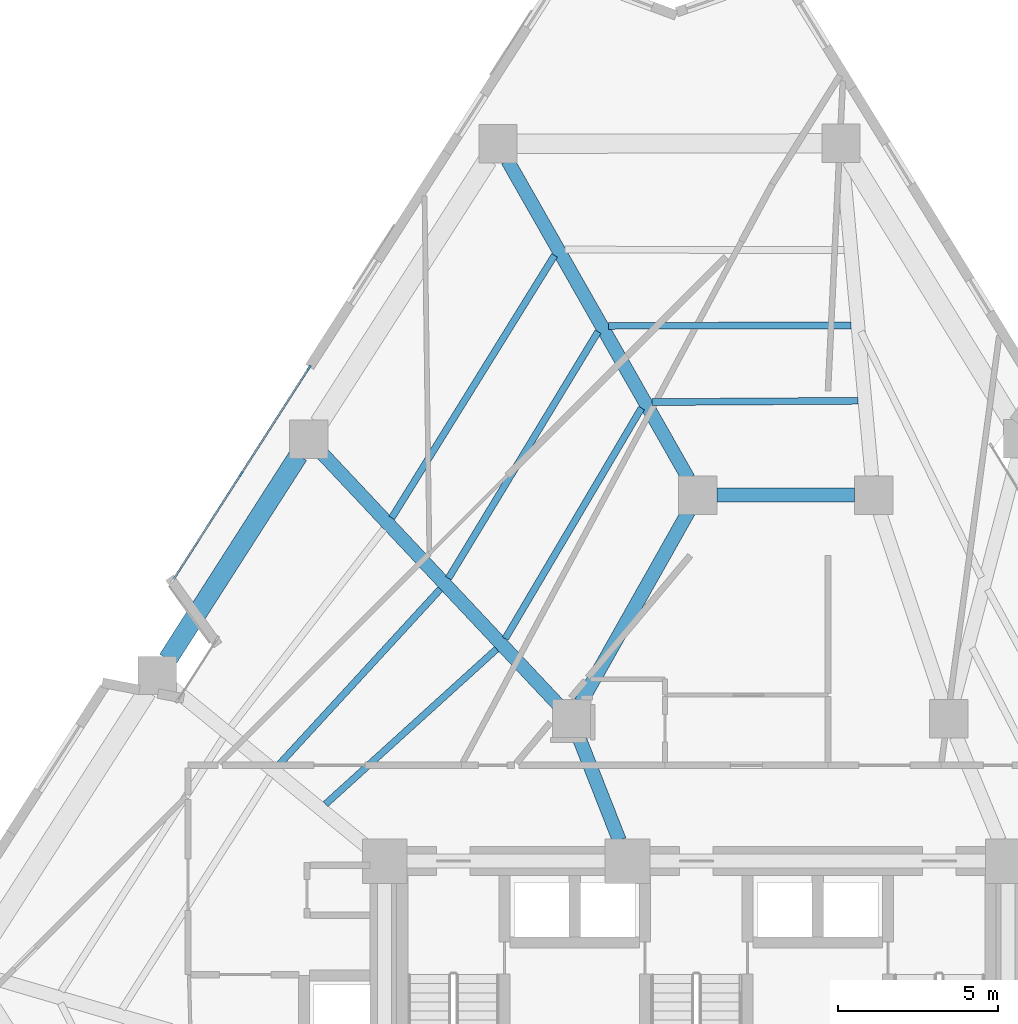
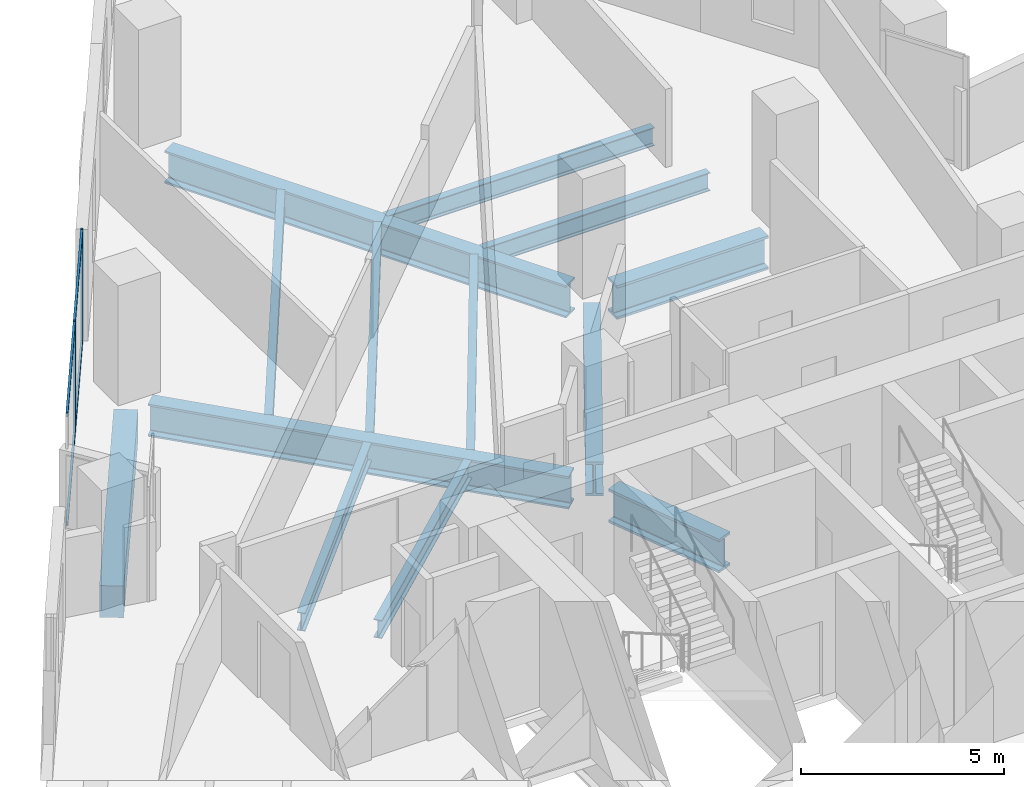
# One storey, part 3 of 12: 13 beams, 6 members, 1 element without a shape of its own.
"""IFC4 building model written with IfcOpenShell, lengths in metres."""

from ifc_helpers import new_model, si_unit, direction, frame, origin, origin_2d, place, context, subcontext, project, spatial, rectangle, i_section, extrude, material, layer, layer_set, material_profile, profile_set, type_object, element, aggregate, save


model = new_model("IFC4")

# Units and contexts
model_context = context("Model", 3, precision=1e-05, world=origin(), true_north=direction((0.0, 1.0)))
body_context = subcontext(model_context, "Body", "Model", "MODEL_VIEW")
ifc_project = project(units=[si_unit("LENGTHUNIT", "METRE"), si_unit("AREAUNIT", "SQUARE_METRE"), si_unit("VOLUMEUNIT", "CUBIC_METRE"), si_unit("PLANEANGLEUNIT", "RADIAN"), si_unit("MASSUNIT", "GRAM", prefix="KILO")], contexts=[model_context])

# Site, building, storey
site_placement = place(None, origin())
site = spatial("IfcSite", under=ifc_project, at=site_placement, CompositionType="ELEMENT")
building_placement = place(site_placement, origin())
building = spatial("IfcBuilding", under=site, at=building_placement, Name="Almagre Mirador Tower", CompositionType="ELEMENT")
storey_placement = place(building_placement, frame((0.0, 0.0, 93.0)))
storey = spatial("IfcBuildingStorey", under=building, at=storey_placement, Name="L23", CompositionType="ELEMENT", Elevation=93.0)

# Beams
ifc_material_1 = material(Name="Steel ASTM A992 Grade 50", Category="steel")
ifc_material_profile_1 = material_profile(ifc_material_1, i_section(OverallWidth=0.214111328125, OverallDepth=0.549072265625, WebThickness=0.0146484375, FlangeThickness=0.023681640625, FilletRadius=0.01806640625, at=origin_2d()), Name="W21X93")
ifc_profile_set_1 = profile_set([ifc_material_profile_1], Name="Steel ASTM A992 Grade 50")
beam_type_1 = type_object("IfcBeamType", Name="BM-JST-W21X93", PredefinedType="JOIST", material=ifc_profile_set_1)
beam_1_placement = place(storey_placement, frame((42.142333984375, 31.50732421875, -0.5244140625), z_axis=(-0.999998857543, -0.001511592523, 0.0), x_axis=(0.001511592523, -0.999998857543, 0.0)))
element("IfcBeam", 1, at=beam_1_placement, inside=storey, type_object=beam_type_1, Name="L23 secondary floor joist PC08-PC09.2", PredefinedType="JOIST", context=body_context, shape_type="SweptSolid", body=[
    extrude(i_section(OverallWidth=0.214111328125, OverallDepth=0.549072265625, WebThickness=0.0146484375, FlangeThickness=0.023681640625, FilletRadius=0.01806640625, at=origin_2d()), origin(), (0.0, 0.0, 1.0), 7.591064453125),
])
beam_2_placement = place(storey_placement, frame((42.361328125, 29.151123046875, -0.5244140625), z_axis=(-0.999979554323, -0.006394602114, 0.0), x_axis=(0.006394602114, -0.999979554323, 0.0)))
element("IfcBeam", 2, at=beam_2_placement, inside=storey, type_object=beam_type_1, Name="L23 secondary floor joist PC08-PC09.3", PredefinedType="JOIST", context=body_context, shape_type="SweptSolid", body=[
    extrude(i_section(OverallWidth=0.214111328125, OverallDepth=0.549072265625, WebThickness=0.0146484375, FlangeThickness=0.023681640625, FilletRadius=0.01806640625, at=origin_2d()), origin(), (0.0, 0.0, 1.0), 6.452392578125),
])
beam_3_placement = place(storey_placement, frame((32.8662109375, 33.70068359375, -0.5244140625), z_axis=(-0.527025078824, -0.849849731594, 0.0), x_axis=(0.849849731594, -0.527025078824, 0.0)))
element("IfcBeam", 3, at=beam_3_placement, inside=storey, type_object=beam_type_1, Name="L23 secondary floor joist PC09-PC10.1", PredefinedType="JOIST", context=body_context, shape_type="SweptSolid", body=[
    extrude(i_section(OverallWidth=0.214111328125, OverallDepth=0.549072265625, WebThickness=0.0146484375, FlangeThickness=0.023681640625, FilletRadius=0.01806640625, at=origin_2d()), origin(), (0.0, 0.0, 1.0), 9.662841796875),
])
beam_4_placement = place(storey_placement, frame((34.226318359375, 31.3125, -0.5244140625), z_axis=(-0.51862919068, -0.854999276359, 0.0), x_axis=(0.854999276359, -0.51862919068, 0.0)))
element("IfcBeam", 4, at=beam_4_placement, inside=storey, type_object=beam_type_1, Name="L23 secondary floor joist PC09-PC10.2", PredefinedType="JOIST", context=body_context, shape_type="SweptSolid", body=[
    extrude(i_section(OverallWidth=0.214111328125, OverallDepth=0.549072265625, WebThickness=0.0146484375, FlangeThickness=0.023681640625, FilletRadius=0.01806640625, at=origin_2d()), origin(), (0.0, 0.0, 1.0), 9.020263671875),
])
beam_5_placement = place(storey_placement, frame((35.586181640625, 28.92431640625, -0.5244140625), z_axis=(-0.508893233188, -0.860829644712, 0.0), x_axis=(0.860829644712, -0.508893233188, 0.0)))
element("IfcBeam", 5, at=beam_5_placement, inside=storey, type_object=beam_type_1, Name="L23 secondary floor joist PC09-PC10.3", PredefinedType="JOIST", context=body_context, shape_type="SweptSolid", body=[
    extrude(i_section(OverallWidth=0.214111328125, OverallDepth=0.549072265625, WebThickness=0.0146484375, FlangeThickness=0.023681640625, FilletRadius=0.01806640625, at=origin_2d()), origin(), (0.0, 0.0, 1.0), 8.37939453125),
])
beam_6_placement = place(storey_placement, frame((29.292236328125, 23.259521484375, -0.5244140625), z_axis=(-0.676538846578, -0.73640694529, 0.0), x_axis=(0.73640694529, -0.676538846578, 0.0)))
element("IfcBeam", 6, at=beam_6_placement, inside=storey, type_object=beam_type_1, Name="L23 secondary floor joist PC10-PC11.2", PredefinedType="JOIST", context=body_context, shape_type="SweptSolid", body=[
    extrude(i_section(OverallWidth=0.214111328125, OverallDepth=0.549072265625, WebThickness=0.0146484375, FlangeThickness=0.023681640625, FilletRadius=0.01806640625, at=origin_2d()), origin(), (0.0, 0.0, 1.0), 7.4912109375),
])
beam_7_placement = place(storey_placement, frame((31.054443359375, 21.38330078125, -0.5244140625), z_axis=(-0.7409990396, -0.671506085834, 0.0), x_axis=(0.671506085834, -0.7409990396, 0.0)))
element("IfcBeam", 7, at=beam_7_placement, inside=storey, type_object=beam_type_1, Name="L23 secondary floor joist PC10-PC11.3", PredefinedType="JOIST", context=body_context, shape_type="SweptSolid", body=[
    extrude(i_section(OverallWidth=0.214111328125, OverallDepth=0.549072265625, WebThickness=0.0146484375, FlangeThickness=0.023681640625, FilletRadius=0.01806640625, at=origin_2d()), origin(), (0.0, 0.0, 1.0), 7.22314453125),
])
ifc_material_2 = material(Name="Precast concrete C50/60", Category="concrete")
ifc_material_profile_2 = material_profile(ifc_material_2, rectangle(XDim=0.60009765625, YDim=0.949951171875, at=origin_2d()), Name="RC600X950")
ifc_profile_set_2 = profile_set([ifc_material_profile_2], Name="Precast concrete C50/60")
beam_type_2 = type_object("IfcBeamType", Name="BM-SPN-RC600X950", PredefinedType="SPANDREL", material=ifc_profile_set_2)
beam_8_placement = place(storey_placement, frame((24.854248046875, 27.44384765625, -0.72509765625), z_axis=(-0.539465888447, -0.84200745555, 0.0), x_axis=(0.84200745555, -0.539465888447, 0.0)))
element("IfcBeam", 8, at=beam_8_placement, inside=storey, type_object=beam_type_2, Name="L23 perimeter spandrel beam PC10-PC11", PredefinedType="SPANDREL", context=body_context, shape_type="SweptSolid", body=[
    extrude(rectangle(XDim=0.60009765625, YDim=0.949951171875, at=origin_2d()), origin(), (0.0, 0.0, 1.0), 7.5791015625),
])
ifc_material_3 = material(Name="Steel ASTM A992 Grade 50", Category="steel")
ifc_material_profile_3 = material_profile(ifc_material_3, i_section(OverallWidth=0.427978515625, OverallDepth=0.97509765625, WebThickness=0.031005859375, FlangeThickness=0.055908203125, FilletRadius=0.028076171875, at=origin_2d()), Name="W36X395")
ifc_profile_set_3 = profile_set([ifc_material_profile_3], Name="Steel ASTM A992 Grade 50")
beam_type_3 = type_object("IfcBeamType", Name="BM-STL-W36X395", PredefinedType="BEAM", material=ifc_profile_set_3)
beam_9_placement = place(storey_placement, frame((31.394775390625, 36.66748046875, -0.737548828125), z_axis=(0.494490623946, -0.869182962805, 0.0), x_axis=(0.869182962805, 0.494490623946, 0.0)))
element("IfcBeam", 9, at=beam_9_placement, inside=storey, type_object=beam_type_3, Name="L23 radial floor girder PC09-MC7", PredefinedType="BEAM", context=body_context, shape_type="SweptSolid", body=[
    extrude(i_section(OverallWidth=0.427978515625, OverallDepth=0.97509765625, WebThickness=0.031005859375, FlangeThickness=0.055908203125, FilletRadius=0.028076171875, at=origin_2d()), origin(), (0.0, 0.0, 1.0), 11.44287109375),
])
beam_10_placement = place(storey_placement, frame((25.5888671875, 27.51171875, -0.737548828125), z_axis=(0.684816925133, -0.728715156321, 0.0), x_axis=(0.728715156321, 0.684816925133, 0.0)))
element("IfcBeam", 10, at=beam_10_placement, inside=storey, type_object=beam_type_3, Name="L23 radial floor girder PC10-MC8", PredefinedType="BEAM", context=body_context, shape_type="SweptSolid", body=[
    extrude(i_section(OverallWidth=0.427978515625, OverallDepth=0.97509765625, WebThickness=0.031005859375, FlangeThickness=0.055908203125, FilletRadius=0.028076171875, at=origin_2d()), origin(), (0.0, 0.0, 1.0), 10.805908203125),
])
ifc_material_4 = material(Name="Steel ASTM A992 Grade 50", Category="steel")
ifc_material_profile_4 = material_profile(ifc_material_4, i_section(OverallWidth=0.43701171875, OverallDepth=1.010986328125, WebThickness=0.041015625, FlangeThickness=0.073974609375, FilletRadius=0.028076171875, at=origin_2d()), Name="W36X529")
ifc_profile_set_4 = profile_set([ifc_material_profile_4], Name="Steel ASTM A992 Grade 50")
beam_type_4 = type_object("IfcBeamType", Name="BM-STL-W36X529", PredefinedType="BEAM", material=ifc_profile_set_4)
beam_11_placement = place(storey_placement, frame((37.949951171875, 26.199951171875, -0.755615234375), z_axis=(1.0, 0.0, 0.0), x_axis=(0.0, 1.0, 0.0)))
element("IfcBeam", 11, at=beam_11_placement, inside=storey, type_object=beam_type_4, Name="L23 core tie girder MC7-MC6", PredefinedType="BEAM", context=body_context, shape_type="SweptSolid", body=[
    extrude(i_section(OverallWidth=0.43701171875, OverallDepth=1.010986328125, WebThickness=0.041015625, FlangeThickness=0.073974609375, FilletRadius=0.028076171875, at=origin_2d()), origin(), (0.0, 0.0, 1.0), 4.300048828125),
])
beam_12_placement = place(storey_placement, frame((37.05517578125, 25.677490234375, -0.755615234375), z_axis=(-0.491440637516, -0.870911074564, 0.0), x_axis=(0.870911074564, -0.491440637516, 0.0)))
element("IfcBeam", 12, at=beam_12_placement, inside=storey, type_object=beam_type_4, Name="L23 core tie girder MC7-MC8", PredefinedType="BEAM", context=body_context, shape_type="SweptSolid", body=[
    extrude(i_section(OverallWidth=0.43701171875, OverallDepth=1.010986328125, WebThickness=0.041015625, FlangeThickness=0.073974609375, FilletRadius=0.028076171875, at=origin_2d()), origin(), (0.0, 0.0, 1.0), 6.837646484375),
])
beam_13_placement = place(storey_placement, frame((33.61962890625, 18.6416015625, -0.755615234375), z_axis=(0.365956076985, -0.93063212373, 0.0), x_axis=(0.93063212373, 0.365956076985, 0.0)))
element("IfcBeam", 13, at=beam_13_placement, inside=storey, type_object=beam_type_4, Name="L23 core tie girder MC8-CC5", PredefinedType="BEAM", context=body_context, shape_type="SweptSolid", body=[
    extrude(i_section(OverallWidth=0.43701171875, OverallDepth=1.010986328125, WebThickness=0.041015625, FlangeThickness=0.073974609375, FilletRadius=0.028076171875, at=origin_2d()), origin(), (0.0, 0.0, 1.0), 3.481689453125),
])

# Curtain wall, members
ifc_material_5 = material(Name="Black anodized aluminium", Category="aluminium")
ifc_layer = layer(ifc_material_5, 0.18994140625)
ifc_layer_set = layer_set([ifc_layer], Name="Black anodized aluminium")
curtain_wall_type = type_object("IfcCurtainWallType", Name="CW-RES-L-SYS", PredefinedType="NOTDEFINED", material=ifc_layer_set)
curtain_wall_placement = place(storey_placement, origin())
curtain_wall = element("IfcCurtainWall", 14, at=curtain_wall_placement, inside=storey, type_object=curtain_wall_type, Name="L23 curtain wall run 02", PredefinedType="NOTDEFINED")
ifc_material_6 = material(Name="Black anodized aluminium", Category="aluminium")
ifc_material_profile_5 = material_profile(ifc_material_6, rectangle(XDim=0.06494140625, YDim=0.179931640625, at=origin_2d()), Name="CWM65X180")
ifc_profile_set_5 = profile_set([ifc_material_profile_5], Name="Black anodized aluminium")
member_type_1 = type_object("IfcMemberType", Name="MBR-CWM65X180", PredefinedType="MULLION", material=ifc_profile_set_5)
member_1_placement = place(storey_placement, frame((23.05419921875, 26.85693359375, 0.0), z_axis=(0.0, 0.0, 1.0), x_axis=(-0.842017047997, 0.539450916101, 0.0)))
member_1 = element("IfcMember", 15, at=member_1_placement, type_object=member_type_1, Name="CW-2 mullion 2", PredefinedType="MULLION", context=body_context, shape_type="SweptSolid", body=[
    extrude(rectangle(XDim=0.06494140625, YDim=0.179931640625, at=origin_2d()), origin(), (0.0, 0.0, 1.0), 3.35009765625),
])
member_2_placement = place(storey_placement, frame((25.184814453125, 30.1826171875, 0.0), z_axis=(0.0, 0.0, 1.0), x_axis=(-0.842017047997, 0.539450916101, 0.0)))
member_2 = element("IfcMember", 16, at=member_2_placement, type_object=member_type_1, Name="CW-2 mullion 3", PredefinedType="MULLION", context=body_context, shape_type="SweptSolid", body=[
    extrude(rectangle(XDim=0.06494140625, YDim=0.179931640625, at=origin_2d()), origin(), (0.0, 0.0, 1.0), 3.35009765625),
])
ifc_material_7 = material(Name="Black anodized aluminium", Category="aluminium")
ifc_material_profile_6 = material_profile(ifc_material_7, rectangle(XDim=0.06005859375, YDim=0.1298828125, at=origin_2d()), Name="CWT60X130")
ifc_profile_set_6 = profile_set([ifc_material_profile_6], Name="Black anodized aluminium")
member_type_2 = type_object("IfcMemberType", Name="MBR-CWT60X130", PredefinedType="USERDEFINED", material=ifc_profile_set_6)
member_3_placement = place(storey_placement, frame((20.941162109375, 23.558837890625, 0.030029296875), z_axis=(0.539451360641, 0.842016763196, 0.0), x_axis=(-0.842016763196, 0.539451360641, 0.0)))
member_3 = element("IfcMember", 17, at=member_3_placement, type_object=member_type_2, Name="CW-2 transom 1.1", ObjectType="TRANSOM", PredefinedType="USERDEFINED", context=body_context, shape_type="SweptSolid", body=[
    extrude(rectangle(XDim=0.06005859375, YDim=0.1298828125, at=origin_2d()), origin(), (0.0, 0.0, 1.0), 3.884521484375),
])
member_4_placement = place(storey_placement, frame((20.941162109375, 23.558837890625, 3.320068359375), z_axis=(0.539451360641, 0.842016763196, 0.0), x_axis=(-0.842016763196, 0.539451360641, 0.0)))
member_4 = element("IfcMember", 18, at=member_4_placement, type_object=member_type_2, Name="CW-2 transom 1.2", ObjectType="TRANSOM", PredefinedType="USERDEFINED", context=body_context, shape_type="SweptSolid", body=[
    extrude(rectangle(XDim=0.06005859375, YDim=0.1298828125, at=origin_2d()), origin(), (0.0, 0.0, 1.0), 3.884521484375),
])
member_5_placement = place(storey_placement, frame((23.07177734375, 26.88427734375, 0.030029296875), z_axis=(0.53942281315, 0.842035051915, 0.0), x_axis=(-0.842035051915, 0.53942281315, 0.0)))
member_5 = element("IfcMember", 19, at=member_5_placement, type_object=member_type_2, Name="CW-2 transom 2.1", ObjectType="TRANSOM", PredefinedType="USERDEFINED", context=body_context, shape_type="SweptSolid", body=[
    extrude(rectangle(XDim=0.06005859375, YDim=0.1298828125, at=origin_2d()), origin(), (0.0, 0.0, 1.0), 3.884521484375),
])
member_6_placement = place(storey_placement, frame((23.07177734375, 26.88427734375, 3.320068359375), z_axis=(0.53942281315, 0.842035051915, 0.0), x_axis=(-0.842035051915, 0.53942281315, 0.0)))
member_6 = element("IfcMember", 20, at=member_6_placement, type_object=member_type_2, Name="CW-2 transom 2.2", ObjectType="TRANSOM", PredefinedType="USERDEFINED", context=body_context, shape_type="SweptSolid", body=[
    extrude(rectangle(XDim=0.06005859375, YDim=0.1298828125, at=origin_2d()), origin(), (0.0, 0.0, 1.0), 3.884521484375),
])
aggregate(curtain_wall, [member_1, member_2, member_3, member_4, member_5, member_6])

save(model, "model.ifc")
